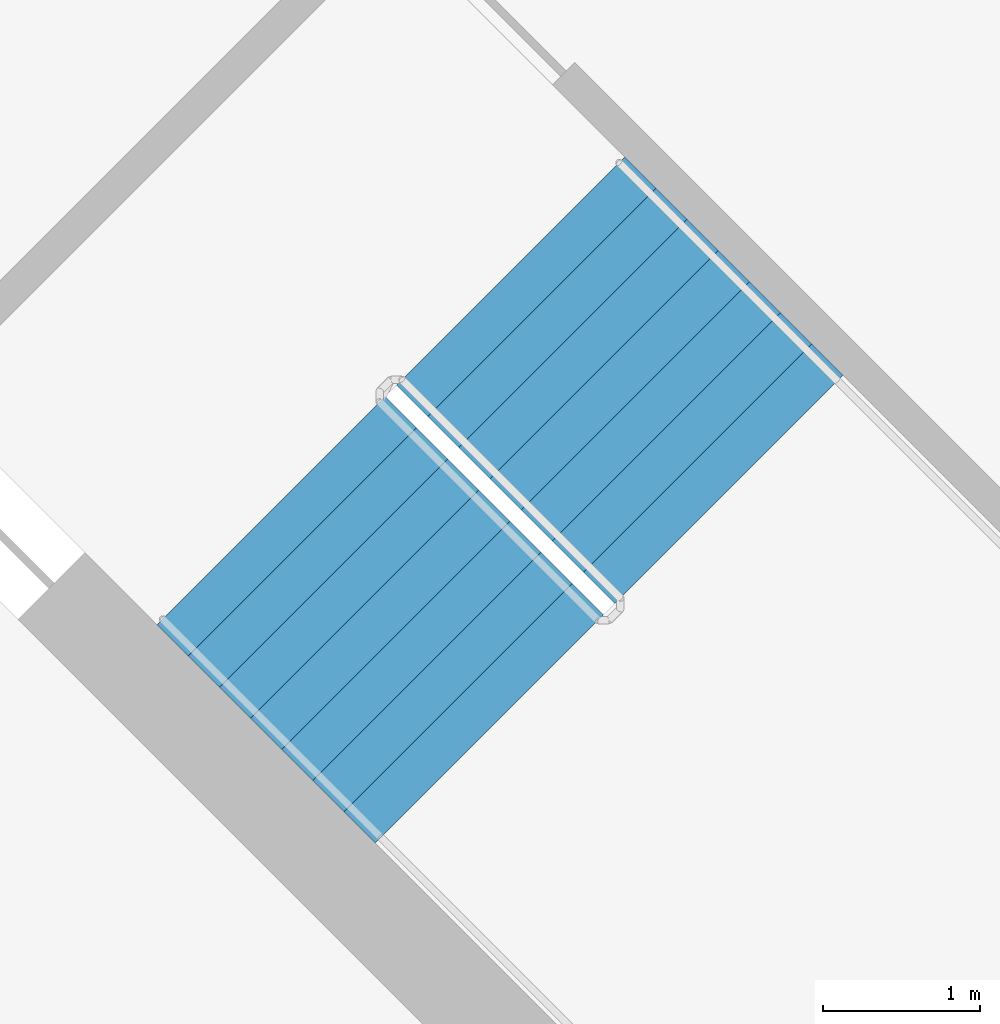
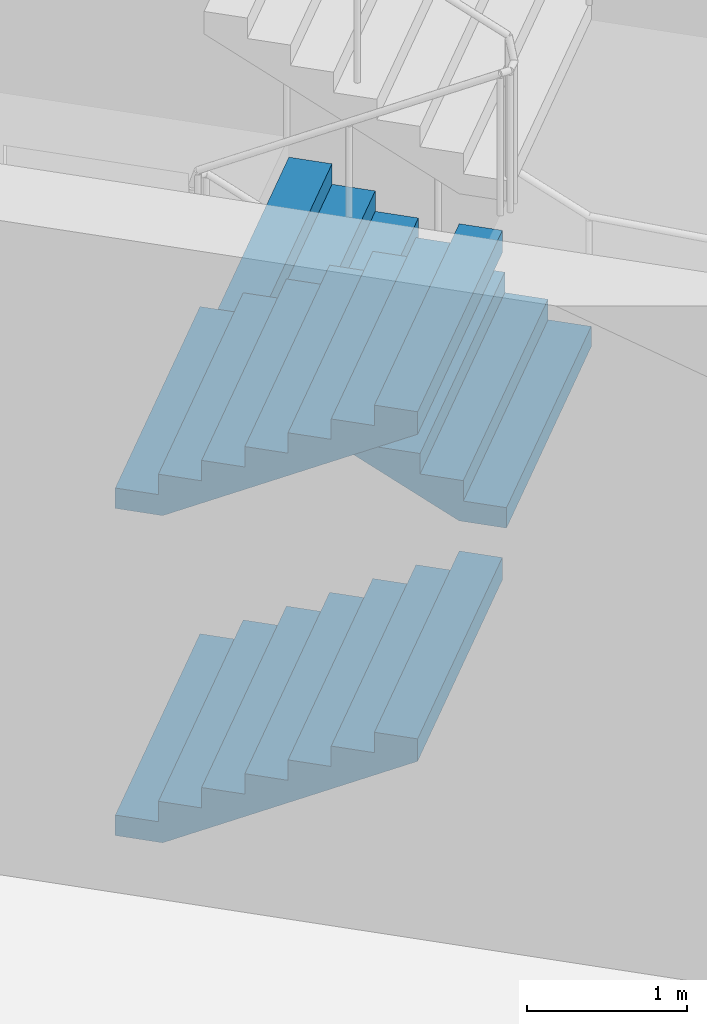
# One storey, part 15 of 21: 3 stair flights, 1 element without a shape of its own.
"""IFC4 building model written with IfcOpenShell, lengths in metres."""

from ifc_helpers import new_model, si_unit, direction, frame, origin, place, context, subcontext, project, spatial, triangles, material, type_object, element, aggregate, save


model = new_model("IFC4")

# Units and contexts
model_context = context("Model", 3, precision=1e-05, world=origin(), true_north=direction((0.0, 1.0)))
body_context = subcontext(model_context, "Body", "Model", "MODEL_VIEW")
ifc_project = project(units=[si_unit("LENGTHUNIT", "METRE"), si_unit("AREAUNIT", "SQUARE_METRE"), si_unit("VOLUMEUNIT", "CUBIC_METRE"), si_unit("PLANEANGLEUNIT", "RADIAN"), si_unit("MASSUNIT", "GRAM", prefix="KILO")], contexts=[model_context])

# Site, building, storey
site_placement = place(None, origin())
site = spatial("IfcSite", under=ifc_project, at=site_placement, CompositionType="ELEMENT")
building_placement = place(site_placement, origin())
building = spatial("IfcBuilding", under=site, at=building_placement, Name="Verdalira Terraces Hotel", CompositionType="ELEMENT")
storey_placement = place(building_placement, frame((0.0, 0.0, 175.0)))
storey = spatial("IfcBuildingStorey", under=building, at=storey_placement, Name="L42", CompositionType="ELEMENT", Elevation=175.0)

# Stair, stair flights
ifc_material_1 = material(Name="Concrete C40", Category="concrete")
stair_type = type_object("IfcStairType", Name="Core stair 32 risers 2050 mm wide", PredefinedType="HALF_TURN_STAIR", material=ifc_material_1)
stair_placement = place(storey_placement, origin())
stair = element("IfcStair", 1, at=stair_placement, inside=storey, type_object=stair_type, Name="L42 Exit stair ST2", PredefinedType="HALF_TURN_STAIR")
ifc_material_2 = material(Name="Concrete C40", Category="concrete")
stair_flight_type = type_object("IfcStairFlightType", Name="Core stair flight 32 risers 2050 mm wide", PredefinedType="STRAIGHT", material=ifc_material_2)
stair_flight_1_placement = place(storey_placement, frame((-10.058594, -7.442383, 0.0), z_axis=(0.0, 0.0, 1.0), x_axis=(0.707106781, -0.707106781, 0.0)))
stair_flight_1 = element("IfcStairFlight", 2, at=stair_flight_1_placement, type_object=stair_flight_type, Name="ST2 flight 1", NumberOfRisers=8, NumberOfTreads=7, PredefinedType="STRAIGHT", RiserHeight=0.15625, TreadLength=0.28, context=body_context, shape_type="Tessellation", body=[
    triangles([(0.0, 1.025024, 0.0), (0.307617, 1.025024, 0.0), (1.959961, 1.025024, 0.922119), (0.0, -1.025024, 0.0), (0.307617, -1.025024, 0.0), (1.959961, -1.025024, 0.922119), (1.959961, 1.025024, 1.09375), (1.679932, 1.025024, 1.09375), (1.959961, -1.025024, 1.09375), (1.679932, -1.025024, 1.09375), (1.679932, 1.025024, 0.9375), (1.679932, -1.025024, 0.9375), (1.399902, 1.025024, 0.9375), (1.399902, -1.025024, 0.9375), (1.399902, 1.025024, 0.78125), (1.399902, -1.025024, 0.78125), (1.120117, 1.025024, 0.78125), (1.120117, 1.025024, 0.625), (1.120117, -1.025024, 0.78125), (1.120117, -1.025024, 0.625), (0.840088, 1.025024, 0.625), (0.840088, 1.025024, 0.46875), (0.840088, -1.025024, 0.625), (0.840088, -1.025024, 0.46875), (0.560059, 1.025024, 0.46875), (0.560059, 1.025024, 0.3125), (0.560059, -1.025024, 0.46875), (0.560059, -1.025024, 0.3125), (0.280029, 1.025024, 0.3125), (0.280029, 1.025024, 0.15625), (0.280029, -1.025024, 0.3125), (0.280029, -1.025024, 0.15625), (0.0, 1.025024, 0.15625), (0.0, -1.025024, 0.15625), (0.0, -0.96096, 0.0), (0.0, -0.96096, 0.15625), (0.0, -0.896896, 0.0), (0.0, -0.896896, 0.15625), (0.0, -0.832832, 0.0), (0.0, -0.832832, 0.15625), (0.0, -0.768768, 0.0), (0.0, -0.768768, 0.15625), (0.0, -0.704704, 0.0), (0.0, -0.704704, 0.15625), (0.0, -0.64064, 0.0), (0.0, -0.64064, 0.15625), (0.0, -0.576576, 0.0), (0.0, -0.576576, 0.15625), (0.0, -0.512512, 0.0), (0.0, -0.512512, 0.15625), (0.0, -0.448448, 0.0), (0.0, -0.448448, 0.15625), (0.0, -0.384384, 0.0), (0.0, -0.384384, 0.15625), (0.0, -0.32032, 0.0), (0.0, -0.32032, 0.15625), (0.0, -0.256256, 0.0), (0.0, -0.256256, 0.15625), (0.0, -0.192192, 0.0), (0.0, -0.192192, 0.15625), (0.0, -0.128128, 0.0), (0.0, -0.128128, 0.15625), (0.0, -0.064064, 0.0), (0.0, -0.064064, 0.15625), (0.0, 0.0, 0.0), (0.0, 0.0, 0.15625), (0.0, 0.064064, 0.0), (0.0, 0.064064, 0.15625), (0.0, 0.128128, 0.0), (0.0, 0.128128, 0.15625), (0.0, 0.192192, 0.0), (0.0, 0.192192, 0.15625), (0.0, 0.256256, 0.0), (0.0, 0.256256, 0.15625), (0.0, 0.32032, 0.0), (0.0, 0.32032, 0.15625), (0.0, 0.384384, 0.0), (0.0, 0.384384, 0.15625), (0.0, 0.448448, 0.0), (0.0, 0.448448, 0.15625), (0.0, 0.512512, 0.0), (0.0, 0.512512, 0.15625), (0.0, 0.576576, 0.0), (0.0, 0.576576, 0.15625), (0.0, 0.64064, 0.0), (0.0, 0.64064, 0.15625), (0.0, 0.704704, 0.0), (0.0, 0.704704, 0.15625), (0.0, 0.768768, 0.0), (0.0, 0.768768, 0.15625), (0.0, 0.832832, 0.0), (0.0, 0.832832, 0.15625), (0.0, 0.896896, 0.0), (0.0, 0.896896, 0.15625), (0.0, 0.96096, 0.0), (0.0, 0.96096, 0.15625), (1.959961, -0.96096, 1.09375), (1.959961, -0.896896, 1.09375), (1.959961, -0.832832, 1.09375), (1.959961, -0.768768, 1.09375), (1.959961, -0.704704, 1.09375), (1.959961, -0.64064, 1.09375), (1.959961, -0.576576, 1.09375), (1.959961, -0.512512, 1.09375), (1.959961, -0.448448, 1.09375), (1.959961, -0.384384, 1.09375), (1.959961, -0.32032, 1.09375), (1.959961, -0.256256, 1.09375), (1.959961, -0.192192, 1.09375), (1.959961, -0.128128, 1.09375), (1.959961, -0.064064, 1.09375), (1.959961, 0.0, 1.09375), (1.959961, 0.064064, 1.09375), (1.959961, 0.128128, 1.09375), (1.959961, 0.192192, 1.09375), (1.959961, 0.256256, 1.09375), (1.959961, 0.32032, 1.09375), (1.959961, 0.384384, 1.09375), (1.959961, 0.448448, 1.09375), (1.959961, 0.512512, 1.09375), (1.959961, 0.576576, 1.09375), (1.959961, 0.64064, 1.09375), (1.959961, 0.704704, 1.09375), (1.959961, 0.768768, 1.09375), (1.959961, 0.832832, 1.09375), (1.959961, 0.896896, 1.09375), (1.959961, 0.96096, 1.09375), (1.959961, -0.96096, 0.922119), (1.959961, -0.896896, 0.922119), (1.959961, -0.832832, 0.922119), (1.959961, -0.768768, 0.922119), (1.959961, -0.704704, 0.922119), (1.959961, -0.64064, 0.922119), (1.959961, -0.576576, 0.922119), (1.959961, -0.512512, 0.922119), (1.959961, -0.448448, 0.922119), (1.959961, -0.384384, 0.922119), (1.959961, -0.32032, 0.922119), (1.959961, -0.256256, 0.922119), (1.959961, -0.192192, 0.922119), (1.959961, -0.128128, 0.922119), (1.959961, -0.064064, 0.922119), (1.959961, 0.0, 0.922119), (1.959961, 0.064064, 0.922119), (1.959961, 0.128128, 0.922119), (1.959961, 0.192192, 0.922119), (1.959961, 0.256256, 0.922119), (1.959961, 0.32032, 0.922119), (1.959961, 0.384384, 0.922119), (1.959961, 0.448448, 0.922119), (1.959961, 0.512512, 0.922119), (1.959961, 0.576576, 0.922119), (1.959961, 0.64064, 0.922119), (1.959961, 0.704704, 0.922119), (1.959961, 0.768768, 0.922119), (1.959961, 0.832832, 0.922119), (1.959961, 0.896896, 0.922119), (1.959961, 0.96096, 0.922119)], [[1, 3, 2], [4, 5, 6], [3, 8, 7], [6, 9, 10], [3, 11, 8], [6, 10, 12], [3, 13, 11], [6, 12, 14], [3, 15, 13], [6, 14, 16], [15, 18, 17], [16, 19, 20], [3, 18, 15], [6, 16, 20], [18, 22, 21], [20, 23, 24], [3, 22, 18], [6, 20, 24], [22, 26, 25], [24, 27, 28], [3, 26, 22], [6, 24, 28], [26, 30, 29], [28, 31, 32], [3, 30, 26], [6, 28, 32], [1, 30, 3], [4, 6, 32], [30, 1, 33], [32, 34, 4], [4, 36, 35], [4, 34, 36], [35, 38, 37], [35, 36, 38], [37, 40, 39], [37, 38, 40], [39, 42, 41], [39, 40, 42], [41, 44, 43], [41, 42, 44], [43, 46, 45], [43, 44, 46], [45, 48, 47], [45, 46, 48], [47, 50, 49], [47, 48, 50], [49, 52, 51], [49, 50, 52], [51, 54, 53], [51, 52, 54], [53, 56, 55], [53, 54, 56], [55, 58, 57], [55, 56, 58], [57, 60, 59], [57, 58, 60], [59, 62, 61], [59, 60, 62], [61, 64, 63], [61, 62, 64], [63, 66, 65], [63, 64, 66], [65, 68, 67], [65, 66, 68], [67, 70, 69], [67, 68, 70], [69, 72, 71], [69, 70, 72], [71, 74, 73], [71, 72, 74], [73, 76, 75], [73, 74, 76], [75, 78, 77], [75, 76, 78], [77, 80, 79], [77, 78, 80], [79, 82, 81], [79, 80, 82], [81, 84, 83], [81, 82, 84], [83, 86, 85], [83, 84, 86], [85, 88, 87], [85, 86, 88], [87, 90, 89], [87, 88, 90], [89, 92, 91], [89, 90, 92], [91, 94, 93], [91, 92, 94], [93, 96, 95], [93, 94, 96], [95, 33, 1], [95, 96, 33], [34, 32, 36], [36, 32, 38], [38, 32, 40], [40, 32, 42], [42, 32, 44], [44, 32, 46], [46, 32, 48], [48, 32, 50], [50, 32, 52], [52, 32, 54], [54, 32, 56], [56, 32, 58], [58, 32, 60], [60, 32, 62], [62, 32, 64], [64, 32, 66], [66, 32, 68], [68, 32, 70], [70, 32, 72], [72, 32, 74], [74, 32, 76], [76, 32, 78], [78, 32, 80], [80, 32, 82], [82, 32, 84], [84, 32, 86], [86, 32, 88], [88, 32, 90], [90, 32, 92], [92, 32, 94], [94, 32, 96], [96, 32, 33], [33, 32, 30], [32, 29, 30], [32, 31, 29], [31, 26, 29], [31, 28, 26], [28, 25, 26], [28, 27, 25], [27, 22, 25], [27, 24, 22], [24, 21, 22], [24, 23, 21], [23, 18, 21], [23, 20, 18], [20, 17, 18], [20, 19, 17], [19, 15, 17], [19, 16, 15], [16, 13, 15], [16, 14, 13], [14, 11, 13], [14, 12, 11], [12, 8, 11], [12, 10, 8], [9, 97, 10], [97, 98, 10], [98, 99, 10], [99, 100, 10], [100, 101, 10], [101, 102, 10], [102, 103, 10], [103, 104, 10], [104, 105, 10], [105, 106, 10], [106, 107, 10], [107, 108, 10], [108, 109, 10], [109, 110, 10], [110, 111, 10], [111, 112, 10], [112, 113, 10], [113, 114, 10], [114, 115, 10], [115, 116, 10], [116, 117, 10], [117, 118, 10], [118, 119, 10], [119, 120, 10], [120, 121, 10], [121, 122, 10], [122, 123, 10], [123, 124, 10], [124, 125, 10], [125, 126, 10], [126, 127, 10], [127, 7, 10], [7, 8, 10], [9, 128, 97], [9, 6, 128], [97, 129, 98], [97, 128, 129], [98, 130, 99], [98, 129, 130], [99, 131, 100], [99, 130, 131], [100, 132, 101], [100, 131, 132], [101, 133, 102], [101, 132, 133], [102, 134, 103], [102, 133, 134], [103, 135, 104], [103, 134, 135], [104, 136, 105], [104, 135, 136], [105, 137, 106], [105, 136, 137], [106, 138, 107], [106, 137, 138], [107, 139, 108], [107, 138, 139], [108, 140, 109], [108, 139, 140], [109, 141, 110], [109, 140, 141], [110, 142, 111], [110, 141, 142], [111, 143, 112], [111, 142, 143], [112, 144, 113], [112, 143, 144], [113, 145, 114], [113, 144, 145], [114, 146, 115], [114, 145, 146], [115, 147, 116], [115, 146, 147], [116, 148, 117], [116, 147, 148], [117, 149, 118], [117, 148, 149], [118, 150, 119], [118, 149, 150], [119, 151, 120], [119, 150, 151], [120, 152, 121], [120, 151, 152], [121, 153, 122], [121, 152, 153], [122, 154, 123], [122, 153, 154], [123, 155, 124], [123, 154, 155], [124, 156, 125], [124, 155, 156], [125, 157, 126], [125, 156, 157], [126, 158, 127], [126, 157, 158], [127, 3, 7], [127, 158, 3], [6, 5, 128], [128, 5, 129], [129, 5, 130], [130, 5, 131], [131, 5, 132], [132, 5, 133], [133, 5, 134], [134, 5, 135], [135, 5, 136], [136, 5, 137], [137, 5, 138], [138, 5, 139], [139, 5, 140], [140, 5, 141], [141, 5, 142], [142, 5, 143], [143, 5, 144], [144, 5, 145], [145, 5, 146], [146, 5, 147], [147, 5, 148], [148, 5, 149], [149, 5, 150], [150, 5, 151], [151, 5, 152], [152, 5, 153], [153, 5, 154], [154, 5, 155], [155, 5, 156], [156, 5, 157], [157, 5, 158], [158, 5, 3], [3, 5, 2], [4, 35, 5], [35, 37, 5], [37, 39, 5], [39, 41, 5], [41, 43, 5], [43, 45, 5], [45, 47, 5], [47, 49, 5], [49, 51, 5], [51, 53, 5], [53, 55, 5], [55, 57, 5], [57, 59, 5], [59, 61, 5], [61, 63, 5], [63, 65, 5], [65, 67, 5], [67, 69, 5], [69, 71, 5], [71, 73, 5], [73, 75, 5], [75, 77, 5], [77, 79, 5], [79, 81, 5], [81, 83, 5], [83, 85, 5], [85, 87, 5], [87, 89, 5], [89, 91, 5], [91, 93, 5], [93, 95, 5], [95, 1, 5], [1, 2, 5]], closed=True),
])
stair_flight_2_placement = place(storey_placement, frame((-7.152344, -7.307861, 1.25), z_axis=(0.0, 0.0, 1.0), x_axis=(-0.707106781, 0.707106781, 0.0)))
stair_flight_2 = element("IfcStairFlight", 3, at=stair_flight_2_placement, type_object=stair_flight_type, Name="ST2 flight 2", NumberOfRisers=8, NumberOfTreads=7, PredefinedType="STRAIGHT", RiserHeight=0.15625, TreadLength=0.28, context=body_context, shape_type="Tessellation", body=[
    triangles([(0.0, 1.025024, 0.0), (0.307617, 1.025024, 0.0), (1.959961, 1.025024, 0.922119), (0.0, -1.025024, 0.0), (0.307617, -1.025024, 0.0), (1.959961, -1.025024, 0.922119), (1.959961, 1.025024, 1.09375), (1.679932, 1.025024, 1.09375), (1.959961, -1.025024, 1.09375), (1.679932, -1.025024, 1.09375), (1.679932, 1.025024, 0.9375), (1.679932, -1.025024, 0.9375), (1.399902, 1.025024, 0.9375), (1.399902, -1.025024, 0.9375), (1.399902, 1.025024, 0.78125), (1.399902, -1.025024, 0.78125), (1.120117, 1.025024, 0.78125), (1.120117, 1.025024, 0.625), (1.120117, -1.025024, 0.78125), (1.120117, -1.025024, 0.625), (0.840088, 1.025024, 0.625), (0.840088, 1.025024, 0.46875), (0.840088, -1.025024, 0.625), (0.840088, -1.025024, 0.46875), (0.560059, 1.025024, 0.46875), (0.560059, 1.025024, 0.3125), (0.560059, -1.025024, 0.46875), (0.560059, -1.025024, 0.3125), (0.280029, 1.025024, 0.3125), (0.280029, 1.025024, 0.15625), (0.280029, -1.025024, 0.3125), (0.280029, -1.025024, 0.15625), (0.0, 1.025024, 0.15625), (0.0, -1.025024, 0.15625), (0.0, -0.96096, 0.0), (0.0, -0.96096, 0.15625), (0.0, -0.896896, 0.0), (0.0, -0.896896, 0.15625), (0.0, -0.832832, 0.0), (0.0, -0.832832, 0.15625), (0.0, -0.768768, 0.0), (0.0, -0.768768, 0.15625), (0.0, -0.704704, 0.0), (0.0, -0.704704, 0.15625), (0.0, -0.64064, 0.0), (0.0, -0.64064, 0.15625), (0.0, -0.576576, 0.0), (0.0, -0.576576, 0.15625), (0.0, -0.512512, 0.0), (0.0, -0.512512, 0.15625), (0.0, -0.448448, 0.0), (0.0, -0.448448, 0.15625), (0.0, -0.384384, 0.0), (0.0, -0.384384, 0.15625), (0.0, -0.32032, 0.0), (0.0, -0.32032, 0.15625), (0.0, -0.256256, 0.0), (0.0, -0.256256, 0.15625), (0.0, -0.192192, 0.0), (0.0, -0.192192, 0.15625), (0.0, -0.128128, 0.0), (0.0, -0.128128, 0.15625), (0.0, -0.064064, 0.0), (0.0, -0.064064, 0.15625), (0.0, 0.0, 0.0), (0.0, 0.0, 0.15625), (0.0, 0.064064, 0.0), (0.0, 0.064064, 0.15625), (0.0, 0.128128, 0.0), (0.0, 0.128128, 0.15625), (0.0, 0.192192, 0.0), (0.0, 0.192192, 0.15625), (0.0, 0.256256, 0.0), (0.0, 0.256256, 0.15625), (0.0, 0.32032, 0.0), (0.0, 0.32032, 0.15625), (0.0, 0.384384, 0.0), (0.0, 0.384384, 0.15625), (0.0, 0.448448, 0.0), (0.0, 0.448448, 0.15625), (0.0, 0.512512, 0.0), (0.0, 0.512512, 0.15625), (0.0, 0.576576, 0.0), (0.0, 0.576576, 0.15625), (0.0, 0.64064, 0.0), (0.0, 0.64064, 0.15625), (0.0, 0.704704, 0.0), (0.0, 0.704704, 0.15625), (0.0, 0.768768, 0.0), (0.0, 0.768768, 0.15625), (0.0, 0.832832, 0.0), (0.0, 0.832832, 0.15625), (0.0, 0.896896, 0.0), (0.0, 0.896896, 0.15625), (0.0, 0.96096, 0.0), (0.0, 0.96096, 0.15625), (1.959961, -0.96096, 1.09375), (1.959961, -0.896896, 1.09375), (1.959961, -0.832832, 1.09375), (1.959961, -0.768768, 1.09375), (1.959961, -0.704704, 1.09375), (1.959961, -0.64064, 1.09375), (1.959961, -0.576576, 1.09375), (1.959961, -0.512512, 1.09375), (1.959961, -0.448448, 1.09375), (1.959961, -0.384384, 1.09375), (1.959961, -0.32032, 1.09375), (1.959961, -0.256256, 1.09375), (1.959961, -0.192192, 1.09375), (1.959961, -0.128128, 1.09375), (1.959961, -0.064064, 1.09375), (1.959961, 0.0, 1.09375), (1.959961, 0.064064, 1.09375), (1.959961, 0.128128, 1.09375), (1.959961, 0.192192, 1.09375), (1.959961, 0.256256, 1.09375), (1.959961, 0.32032, 1.09375), (1.959961, 0.384384, 1.09375), (1.959961, 0.448448, 1.09375), (1.959961, 0.512512, 1.09375), (1.959961, 0.576576, 1.09375), (1.959961, 0.64064, 1.09375), (1.959961, 0.704704, 1.09375), (1.959961, 0.768768, 1.09375), (1.959961, 0.832832, 1.09375), (1.959961, 0.896896, 1.09375), (1.959961, 0.96096, 1.09375), (1.959961, -0.96096, 0.922119), (1.959961, -0.896896, 0.922119), (1.959961, -0.832832, 0.922119), (1.959961, -0.768768, 0.922119), (1.959961, -0.704704, 0.922119), (1.959961, -0.64064, 0.922119), (1.959961, -0.576576, 0.922119), (1.959961, -0.512512, 0.922119), (1.959961, -0.448448, 0.922119), (1.959961, -0.384384, 0.922119), (1.959961, -0.32032, 0.922119), (1.959961, -0.256256, 0.922119), (1.959961, -0.192192, 0.922119), (1.959961, -0.128128, 0.922119), (1.959961, -0.064064, 0.922119), (1.959961, 0.0, 0.922119), (1.959961, 0.064064, 0.922119), (1.959961, 0.128128, 0.922119), (1.959961, 0.192192, 0.922119), (1.959961, 0.256256, 0.922119), (1.959961, 0.32032, 0.922119), (1.959961, 0.384384, 0.922119), (1.959961, 0.448448, 0.922119), (1.959961, 0.512512, 0.922119), (1.959961, 0.576576, 0.922119), (1.959961, 0.64064, 0.922119), (1.959961, 0.704704, 0.922119), (1.959961, 0.768768, 0.922119), (1.959961, 0.832832, 0.922119), (1.959961, 0.896896, 0.922119), (1.959961, 0.96096, 0.922119)], [[1, 3, 2], [4, 5, 6], [3, 8, 7], [6, 9, 10], [3, 11, 8], [6, 10, 12], [3, 13, 11], [6, 12, 14], [3, 15, 13], [6, 14, 16], [15, 18, 17], [16, 19, 20], [3, 18, 15], [6, 16, 20], [18, 22, 21], [20, 23, 24], [3, 22, 18], [6, 20, 24], [22, 26, 25], [24, 27, 28], [3, 26, 22], [6, 24, 28], [26, 30, 29], [28, 31, 32], [3, 30, 26], [6, 28, 32], [1, 30, 3], [4, 6, 32], [30, 1, 33], [32, 34, 4], [4, 36, 35], [4, 34, 36], [35, 38, 37], [35, 36, 38], [37, 40, 39], [37, 38, 40], [39, 42, 41], [39, 40, 42], [41, 44, 43], [41, 42, 44], [43, 46, 45], [43, 44, 46], [45, 48, 47], [45, 46, 48], [47, 50, 49], [47, 48, 50], [49, 52, 51], [49, 50, 52], [51, 54, 53], [51, 52, 54], [53, 56, 55], [53, 54, 56], [55, 58, 57], [55, 56, 58], [57, 60, 59], [57, 58, 60], [59, 62, 61], [59, 60, 62], [61, 64, 63], [61, 62, 64], [63, 66, 65], [63, 64, 66], [65, 68, 67], [65, 66, 68], [67, 70, 69], [67, 68, 70], [69, 72, 71], [69, 70, 72], [71, 74, 73], [71, 72, 74], [73, 76, 75], [73, 74, 76], [75, 78, 77], [75, 76, 78], [77, 80, 79], [77, 78, 80], [79, 82, 81], [79, 80, 82], [81, 84, 83], [81, 82, 84], [83, 86, 85], [83, 84, 86], [85, 88, 87], [85, 86, 88], [87, 90, 89], [87, 88, 90], [89, 92, 91], [89, 90, 92], [91, 94, 93], [91, 92, 94], [93, 96, 95], [93, 94, 96], [95, 33, 1], [95, 96, 33], [34, 32, 36], [36, 32, 38], [38, 32, 40], [40, 32, 42], [42, 32, 44], [44, 32, 46], [46, 32, 48], [48, 32, 50], [50, 32, 52], [52, 32, 54], [54, 32, 56], [56, 32, 58], [58, 32, 60], [60, 32, 62], [62, 32, 64], [64, 32, 66], [66, 32, 68], [68, 32, 70], [70, 32, 72], [72, 32, 74], [74, 32, 76], [76, 32, 78], [78, 32, 80], [80, 32, 82], [82, 32, 84], [84, 32, 86], [86, 32, 88], [88, 32, 90], [90, 32, 92], [92, 32, 94], [94, 32, 96], [96, 32, 33], [33, 32, 30], [32, 29, 30], [32, 31, 29], [31, 26, 29], [31, 28, 26], [28, 25, 26], [28, 27, 25], [27, 22, 25], [27, 24, 22], [24, 21, 22], [24, 23, 21], [23, 18, 21], [23, 20, 18], [20, 17, 18], [20, 19, 17], [19, 15, 17], [19, 16, 15], [16, 13, 15], [16, 14, 13], [14, 11, 13], [14, 12, 11], [12, 8, 11], [12, 10, 8], [9, 97, 10], [97, 98, 10], [98, 99, 10], [99, 100, 10], [100, 101, 10], [101, 102, 10], [102, 103, 10], [103, 104, 10], [104, 105, 10], [105, 106, 10], [106, 107, 10], [107, 108, 10], [108, 109, 10], [109, 110, 10], [110, 111, 10], [111, 112, 10], [112, 113, 10], [113, 114, 10], [114, 115, 10], [115, 116, 10], [116, 117, 10], [117, 118, 10], [118, 119, 10], [119, 120, 10], [120, 121, 10], [121, 122, 10], [122, 123, 10], [123, 124, 10], [124, 125, 10], [125, 126, 10], [126, 127, 10], [127, 7, 10], [7, 8, 10], [9, 128, 97], [9, 6, 128], [97, 129, 98], [97, 128, 129], [98, 130, 99], [98, 129, 130], [99, 131, 100], [99, 130, 131], [100, 132, 101], [100, 131, 132], [101, 133, 102], [101, 132, 133], [102, 134, 103], [102, 133, 134], [103, 135, 104], [103, 134, 135], [104, 136, 105], [104, 135, 136], [105, 137, 106], [105, 136, 137], [106, 138, 107], [106, 137, 138], [107, 139, 108], [107, 138, 139], [108, 140, 109], [108, 139, 140], [109, 141, 110], [109, 140, 141], [110, 142, 111], [110, 141, 142], [111, 143, 112], [111, 142, 143], [112, 144, 113], [112, 143, 144], [113, 145, 114], [113, 144, 145], [114, 146, 115], [114, 145, 146], [115, 147, 116], [115, 146, 147], [116, 148, 117], [116, 147, 148], [117, 149, 118], [117, 148, 149], [118, 150, 119], [118, 149, 150], [119, 151, 120], [119, 150, 151], [120, 152, 121], [120, 151, 152], [121, 153, 122], [121, 152, 153], [122, 154, 123], [122, 153, 154], [123, 155, 124], [123, 154, 155], [124, 156, 125], [124, 155, 156], [125, 157, 126], [125, 156, 157], [126, 158, 127], [126, 157, 158], [127, 3, 7], [127, 158, 3], [6, 5, 128], [128, 5, 129], [129, 5, 130], [130, 5, 131], [131, 5, 132], [132, 5, 133], [133, 5, 134], [134, 5, 135], [135, 5, 136], [136, 5, 137], [137, 5, 138], [138, 5, 139], [139, 5, 140], [140, 5, 141], [141, 5, 142], [142, 5, 143], [143, 5, 144], [144, 5, 145], [145, 5, 146], [146, 5, 147], [147, 5, 148], [148, 5, 149], [149, 5, 150], [150, 5, 151], [151, 5, 152], [152, 5, 153], [153, 5, 154], [154, 5, 155], [155, 5, 156], [156, 5, 157], [157, 5, 158], [158, 5, 3], [3, 5, 2], [4, 35, 5], [35, 37, 5], [37, 39, 5], [39, 41, 5], [41, 43, 5], [43, 45, 5], [45, 47, 5], [47, 49, 5], [49, 51, 5], [51, 53, 5], [53, 55, 5], [55, 57, 5], [57, 59, 5], [59, 61, 5], [61, 63, 5], [63, 65, 5], [65, 67, 5], [67, 69, 5], [69, 71, 5], [71, 73, 5], [73, 75, 5], [75, 77, 5], [77, 79, 5], [79, 81, 5], [81, 83, 5], [83, 85, 5], [85, 87, 5], [87, 89, 5], [89, 91, 5], [91, 93, 5], [93, 95, 5], [95, 1, 5], [1, 2, 5]], closed=True),
])
stair_flight_3_placement = place(storey_placement, frame((-10.058594, -7.442383, 2.5), z_axis=(0.0, 0.0, 1.0), x_axis=(0.707106781, -0.707106781, 0.0)))
stair_flight_3 = element("IfcStairFlight", 4, at=stair_flight_3_placement, type_object=stair_flight_type, Name="ST2 flight 3", NumberOfRisers=8, NumberOfTreads=7, PredefinedType="STRAIGHT", RiserHeight=0.15625, TreadLength=0.28, context=body_context, shape_type="Tessellation", body=[
    triangles([(0.0, 1.025024, 0.0), (0.307617, 1.025024, 0.0), (1.959961, 1.025024, 0.922119), (0.0, -1.025024, 0.0), (0.307617, -1.025024, 0.0), (1.959961, -1.025024, 0.922119), (1.959961, 1.025024, 1.09375), (1.679932, 1.025024, 1.09375), (1.959961, -1.025024, 1.09375), (1.679932, -1.025024, 1.09375), (1.679932, 1.025024, 0.9375), (1.679932, -1.025024, 0.9375), (1.399902, 1.025024, 0.9375), (1.399902, -1.025024, 0.9375), (1.399902, 1.025024, 0.78125), (1.399902, -1.025024, 0.78125), (1.120117, 1.025024, 0.78125), (1.120117, 1.025024, 0.625), (1.120117, -1.025024, 0.78125), (1.120117, -1.025024, 0.625), (0.840088, 1.025024, 0.625), (0.840088, 1.025024, 0.46875), (0.840088, -1.025024, 0.625), (0.840088, -1.025024, 0.46875), (0.560059, 1.025024, 0.46875), (0.560059, 1.025024, 0.3125), (0.560059, -1.025024, 0.46875), (0.560059, -1.025024, 0.3125), (0.280029, 1.025024, 0.3125), (0.280029, 1.025024, 0.15625), (0.280029, -1.025024, 0.3125), (0.280029, -1.025024, 0.15625), (0.0, 1.025024, 0.15625), (0.0, -1.025024, 0.15625), (0.0, -0.96096, 0.0), (0.0, -0.96096, 0.15625), (0.0, -0.896896, 0.0), (0.0, -0.896896, 0.15625), (0.0, -0.832832, 0.0), (0.0, -0.832832, 0.15625), (0.0, -0.768768, 0.0), (0.0, -0.768768, 0.15625), (0.0, -0.704704, 0.0), (0.0, -0.704704, 0.15625), (0.0, -0.64064, 0.0), (0.0, -0.64064, 0.15625), (0.0, -0.576576, 0.0), (0.0, -0.576576, 0.15625), (0.0, -0.512512, 0.0), (0.0, -0.512512, 0.15625), (0.0, -0.448448, 0.0), (0.0, -0.448448, 0.15625), (0.0, -0.384384, 0.0), (0.0, -0.384384, 0.15625), (0.0, -0.32032, 0.0), (0.0, -0.32032, 0.15625), (0.0, -0.256256, 0.0), (0.0, -0.256256, 0.15625), (0.0, -0.192192, 0.0), (0.0, -0.192192, 0.15625), (0.0, -0.128128, 0.0), (0.0, -0.128128, 0.15625), (0.0, -0.064064, 0.0), (0.0, -0.064064, 0.15625), (0.0, 0.0, 0.0), (0.0, 0.0, 0.15625), (0.0, 0.064064, 0.0), (0.0, 0.064064, 0.15625), (0.0, 0.128128, 0.0), (0.0, 0.128128, 0.15625), (0.0, 0.192192, 0.0), (0.0, 0.192192, 0.15625), (0.0, 0.256256, 0.0), (0.0, 0.256256, 0.15625), (0.0, 0.32032, 0.0), (0.0, 0.32032, 0.15625), (0.0, 0.384384, 0.0), (0.0, 0.384384, 0.15625), (0.0, 0.448448, 0.0), (0.0, 0.448448, 0.15625), (0.0, 0.512512, 0.0), (0.0, 0.512512, 0.15625), (0.0, 0.576576, 0.0), (0.0, 0.576576, 0.15625), (0.0, 0.64064, 0.0), (0.0, 0.64064, 0.15625), (0.0, 0.704704, 0.0), (0.0, 0.704704, 0.15625), (0.0, 0.768768, 0.0), (0.0, 0.768768, 0.15625), (0.0, 0.832832, 0.0), (0.0, 0.832832, 0.15625), (0.0, 0.896896, 0.0), (0.0, 0.896896, 0.15625), (0.0, 0.96096, 0.0), (0.0, 0.96096, 0.15625), (1.959961, -0.96096, 1.09375), (1.959961, -0.896896, 1.09375), (1.959961, -0.832832, 1.09375), (1.959961, -0.768768, 1.09375), (1.959961, -0.704704, 1.09375), (1.959961, -0.64064, 1.09375), (1.959961, -0.576576, 1.09375), (1.959961, -0.512512, 1.09375), (1.959961, -0.448448, 1.09375), (1.959961, -0.384384, 1.09375), (1.959961, -0.32032, 1.09375), (1.959961, -0.256256, 1.09375), (1.959961, -0.192192, 1.09375), (1.959961, -0.128128, 1.09375), (1.959961, -0.064064, 1.09375), (1.959961, 0.0, 1.09375), (1.959961, 0.064064, 1.09375), (1.959961, 0.128128, 1.09375), (1.959961, 0.192192, 1.09375), (1.959961, 0.256256, 1.09375), (1.959961, 0.32032, 1.09375), (1.959961, 0.384384, 1.09375), (1.959961, 0.448448, 1.09375), (1.959961, 0.512512, 1.09375), (1.959961, 0.576576, 1.09375), (1.959961, 0.64064, 1.09375), (1.959961, 0.704704, 1.09375), (1.959961, 0.768768, 1.09375), (1.959961, 0.832832, 1.09375), (1.959961, 0.896896, 1.09375), (1.959961, 0.96096, 1.09375), (1.959961, -0.96096, 0.922119), (1.959961, -0.896896, 0.922119), (1.959961, -0.832832, 0.922119), (1.959961, -0.768768, 0.922119), (1.959961, -0.704704, 0.922119), (1.959961, -0.64064, 0.922119), (1.959961, -0.576576, 0.922119), (1.959961, -0.512512, 0.922119), (1.959961, -0.448448, 0.922119), (1.959961, -0.384384, 0.922119), (1.959961, -0.32032, 0.922119), (1.959961, -0.256256, 0.922119), (1.959961, -0.192192, 0.922119), (1.959961, -0.128128, 0.922119), (1.959961, -0.064064, 0.922119), (1.959961, 0.0, 0.922119), (1.959961, 0.064064, 0.922119), (1.959961, 0.128128, 0.922119), (1.959961, 0.192192, 0.922119), (1.959961, 0.256256, 0.922119), (1.959961, 0.32032, 0.922119), (1.959961, 0.384384, 0.922119), (1.959961, 0.448448, 0.922119), (1.959961, 0.512512, 0.922119), (1.959961, 0.576576, 0.922119), (1.959961, 0.64064, 0.922119), (1.959961, 0.704704, 0.922119), (1.959961, 0.768768, 0.922119), (1.959961, 0.832832, 0.922119), (1.959961, 0.896896, 0.922119), (1.959961, 0.96096, 0.922119)], [[1, 3, 2], [4, 5, 6], [3, 8, 7], [6, 9, 10], [3, 11, 8], [6, 10, 12], [3, 13, 11], [6, 12, 14], [3, 15, 13], [6, 14, 16], [15, 18, 17], [16, 19, 20], [3, 18, 15], [6, 16, 20], [18, 22, 21], [20, 23, 24], [3, 22, 18], [6, 20, 24], [22, 26, 25], [24, 27, 28], [3, 26, 22], [6, 24, 28], [26, 30, 29], [28, 31, 32], [3, 30, 26], [6, 28, 32], [1, 30, 3], [4, 6, 32], [30, 1, 33], [32, 34, 4], [4, 36, 35], [4, 34, 36], [35, 38, 37], [35, 36, 38], [37, 40, 39], [37, 38, 40], [39, 42, 41], [39, 40, 42], [41, 44, 43], [41, 42, 44], [43, 46, 45], [43, 44, 46], [45, 48, 47], [45, 46, 48], [47, 50, 49], [47, 48, 50], [49, 52, 51], [49, 50, 52], [51, 54, 53], [51, 52, 54], [53, 56, 55], [53, 54, 56], [55, 58, 57], [55, 56, 58], [57, 60, 59], [57, 58, 60], [59, 62, 61], [59, 60, 62], [61, 64, 63], [61, 62, 64], [63, 66, 65], [63, 64, 66], [65, 68, 67], [65, 66, 68], [67, 70, 69], [67, 68, 70], [69, 72, 71], [69, 70, 72], [71, 74, 73], [71, 72, 74], [73, 76, 75], [73, 74, 76], [75, 78, 77], [75, 76, 78], [77, 80, 79], [77, 78, 80], [79, 82, 81], [79, 80, 82], [81, 84, 83], [81, 82, 84], [83, 86, 85], [83, 84, 86], [85, 88, 87], [85, 86, 88], [87, 90, 89], [87, 88, 90], [89, 92, 91], [89, 90, 92], [91, 94, 93], [91, 92, 94], [93, 96, 95], [93, 94, 96], [95, 33, 1], [95, 96, 33], [34, 32, 36], [36, 32, 38], [38, 32, 40], [40, 32, 42], [42, 32, 44], [44, 32, 46], [46, 32, 48], [48, 32, 50], [50, 32, 52], [52, 32, 54], [54, 32, 56], [56, 32, 58], [58, 32, 60], [60, 32, 62], [62, 32, 64], [64, 32, 66], [66, 32, 68], [68, 32, 70], [70, 32, 72], [72, 32, 74], [74, 32, 76], [76, 32, 78], [78, 32, 80], [80, 32, 82], [82, 32, 84], [84, 32, 86], [86, 32, 88], [88, 32, 90], [90, 32, 92], [92, 32, 94], [94, 32, 96], [96, 32, 33], [33, 32, 30], [32, 29, 30], [32, 31, 29], [31, 26, 29], [31, 28, 26], [28, 25, 26], [28, 27, 25], [27, 22, 25], [27, 24, 22], [24, 21, 22], [24, 23, 21], [23, 18, 21], [23, 20, 18], [20, 17, 18], [20, 19, 17], [19, 15, 17], [19, 16, 15], [16, 13, 15], [16, 14, 13], [14, 11, 13], [14, 12, 11], [12, 8, 11], [12, 10, 8], [9, 97, 10], [97, 98, 10], [98, 99, 10], [99, 100, 10], [100, 101, 10], [101, 102, 10], [102, 103, 10], [103, 104, 10], [104, 105, 10], [105, 106, 10], [106, 107, 10], [107, 108, 10], [108, 109, 10], [109, 110, 10], [110, 111, 10], [111, 112, 10], [112, 113, 10], [113, 114, 10], [114, 115, 10], [115, 116, 10], [116, 117, 10], [117, 118, 10], [118, 119, 10], [119, 120, 10], [120, 121, 10], [121, 122, 10], [122, 123, 10], [123, 124, 10], [124, 125, 10], [125, 126, 10], [126, 127, 10], [127, 7, 10], [7, 8, 10], [9, 128, 97], [9, 6, 128], [97, 129, 98], [97, 128, 129], [98, 130, 99], [98, 129, 130], [99, 131, 100], [99, 130, 131], [100, 132, 101], [100, 131, 132], [101, 133, 102], [101, 132, 133], [102, 134, 103], [102, 133, 134], [103, 135, 104], [103, 134, 135], [104, 136, 105], [104, 135, 136], [105, 137, 106], [105, 136, 137], [106, 138, 107], [106, 137, 138], [107, 139, 108], [107, 138, 139], [108, 140, 109], [108, 139, 140], [109, 141, 110], [109, 140, 141], [110, 142, 111], [110, 141, 142], [111, 143, 112], [111, 142, 143], [112, 144, 113], [112, 143, 144], [113, 145, 114], [113, 144, 145], [114, 146, 115], [114, 145, 146], [115, 147, 116], [115, 146, 147], [116, 148, 117], [116, 147, 148], [117, 149, 118], [117, 148, 149], [118, 150, 119], [118, 149, 150], [119, 151, 120], [119, 150, 151], [120, 152, 121], [120, 151, 152], [121, 153, 122], [121, 152, 153], [122, 154, 123], [122, 153, 154], [123, 155, 124], [123, 154, 155], [124, 156, 125], [124, 155, 156], [125, 157, 126], [125, 156, 157], [126, 158, 127], [126, 157, 158], [127, 3, 7], [127, 158, 3], [6, 5, 128], [128, 5, 129], [129, 5, 130], [130, 5, 131], [131, 5, 132], [132, 5, 133], [133, 5, 134], [134, 5, 135], [135, 5, 136], [136, 5, 137], [137, 5, 138], [138, 5, 139], [139, 5, 140], [140, 5, 141], [141, 5, 142], [142, 5, 143], [143, 5, 144], [144, 5, 145], [145, 5, 146], [146, 5, 147], [147, 5, 148], [148, 5, 149], [149, 5, 150], [150, 5, 151], [151, 5, 152], [152, 5, 153], [153, 5, 154], [154, 5, 155], [155, 5, 156], [156, 5, 157], [157, 5, 158], [158, 5, 3], [3, 5, 2], [4, 35, 5], [35, 37, 5], [37, 39, 5], [39, 41, 5], [41, 43, 5], [43, 45, 5], [45, 47, 5], [47, 49, 5], [49, 51, 5], [51, 53, 5], [53, 55, 5], [55, 57, 5], [57, 59, 5], [59, 61, 5], [61, 63, 5], [63, 65, 5], [65, 67, 5], [67, 69, 5], [69, 71, 5], [71, 73, 5], [73, 75, 5], [75, 77, 5], [77, 79, 5], [79, 81, 5], [81, 83, 5], [83, 85, 5], [85, 87, 5], [87, 89, 5], [89, 91, 5], [91, 93, 5], [93, 95, 5], [95, 1, 5], [1, 2, 5]], closed=True),
])
aggregate(stair, [stair_flight_1, stair_flight_2, stair_flight_3])

save(model, "model.ifc")
